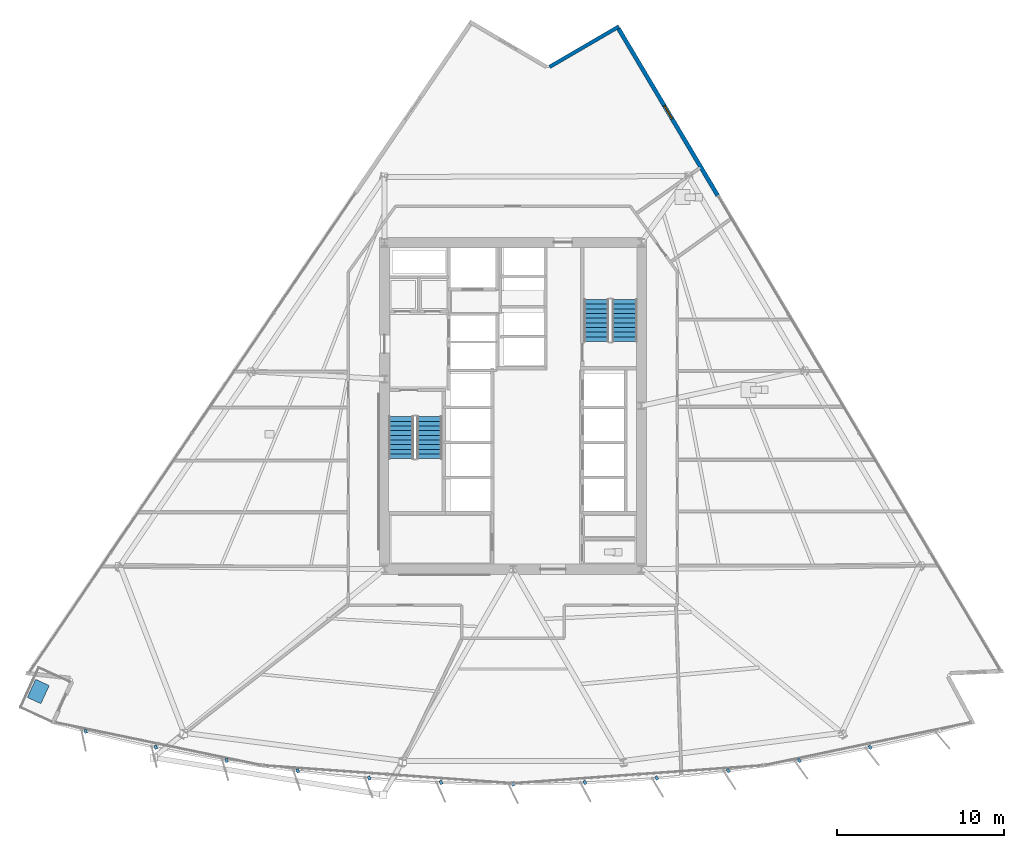
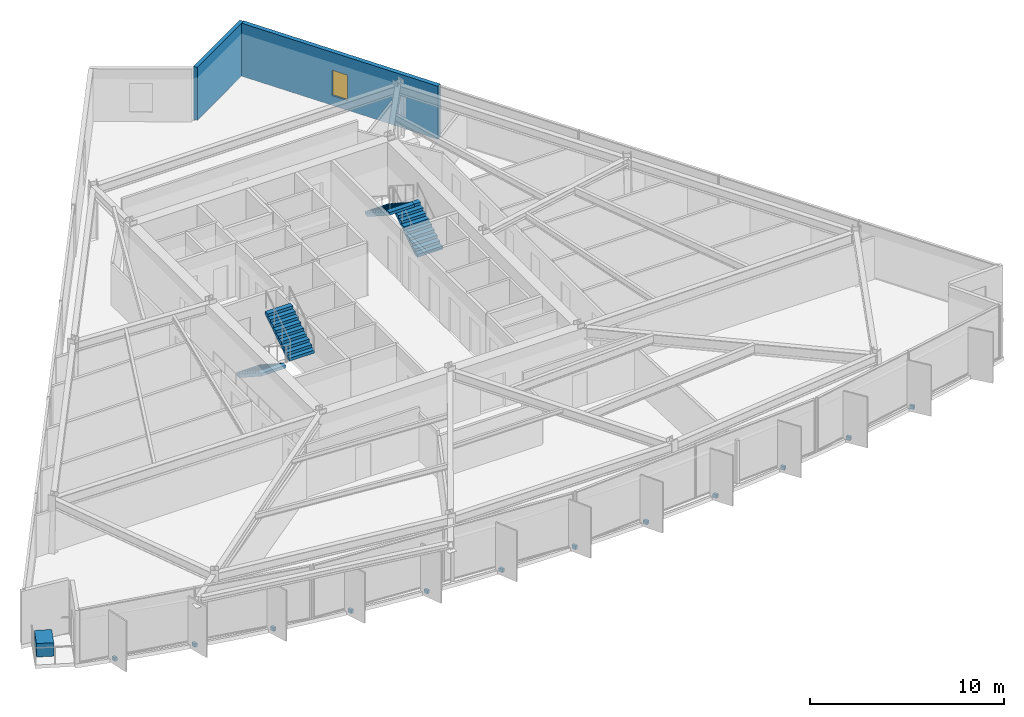
# One storey, part 11 of 17: 13 discrete accessories, 4 stair flights, 2 walls, 1 window, 1 opening, 2 elements without a shape of their own.
"""IFC4 building model written with IfcOpenShell, lengths in metres."""

from ifc_helpers import new_model, si_unit, direction, frame, frame_2d, origin, origin_2d, place, context, subcontext, project, spatial, polyline, rectangle, outline, extrude, material, layer, layer_set, type_object, element, fill, aggregate, save


model = new_model("IFC4")

# Units and contexts
model_context = context("Model", 3, precision=1e-05, world=origin(), true_north=direction((0.0, 1.0)))
body_context = subcontext(model_context, "Body", "Model", "MODEL_VIEW")
ifc_project = project(units=[si_unit("LENGTHUNIT", "METRE"), si_unit("AREAUNIT", "SQUARE_METRE"), si_unit("VOLUMEUNIT", "CUBIC_METRE"), si_unit("PLANEANGLEUNIT", "RADIAN"), si_unit("MASSUNIT", "GRAM", prefix="KILO")], contexts=[model_context])

# Site, building, storey
site_placement = place(None, origin())
site = spatial("IfcSite", under=ifc_project, at=site_placement, CompositionType="ELEMENT")
building_placement = place(site_placement, origin())
building = spatial("IfcBuilding", under=site, at=building_placement, Name="Savorim Split Tower", CompositionType="ELEMENT")
storey_placement = place(building_placement, frame((0.0, 0.0, 55.199951171875)))
storey = spatial("IfcBuildingStorey", under=building, at=storey_placement, Name="L14", CompositionType="ELEMENT", Elevation=55.199951171875)

# Wall
ifc_material_1 = material(Name="Precast concrete C40/50", Category="concrete")
ifc_layer_1 = layer(ifc_material_1, 0.219970703125)
ifc_layer_set_1 = layer_set([ifc_layer_1], Name="WAL-EXT-CRN220")
wall_type_1 = type_object("IfcWallType", Name="WAL-EXT-CRN220", PredefinedType="SOLIDWALL", material=ifc_layer_set_1)
wall_1_placement = place(storey_placement, frame((2.193359375, 20.71337890625, 0.0), z_axis=(0.0, 0.0, 1.0), x_axis=(0.863964978951, 0.503551899159, 0.0)))
element("IfcWall", 1, at=wall_1_placement, inside=storey, type_object=wall_type_1, Name="L14 Notched Corner Facade Wall NE1", PredefinedType="SOLIDWALL", context=body_context, shape_type="SweptSolid", body=[
    extrude(rectangle(XDim=4.8046875, YDim=0.219970703125, at=frame_2d((2.40234375, 0.0))), origin(), (0.0, 0.0, 1.0), 3.35009765625),
])

# Wall, opening, window
ifc_layer_2 = layer(ifc_material_1, 0.25)
ifc_layer_set_2 = layer_set([ifc_layer_2], Name="WAL-EXT-SPN250")
wall_type_2 = type_object("IfcWallType", Name="WAL-EXT-SPN250", PredefinedType="SOLIDWALL", material=ifc_layer_set_2)
wall_2_placement = place(storey_placement, frame((6.327880859375, 23.006103515625, 0.0), z_axis=(0.0, 0.0, 1.0), x_axis=(0.511075811474, -0.859535639125, 0.0)))
wall_2 = element("IfcWall", 2, at=wall_2_placement, inside=storey, type_object=wall_type_2, Name="L14 East Operable Window Pier", PredefinedType="SOLIDWALL", context=body_context, shape_type="SweptSolid", body=[
    extrude(rectangle(XDim=11.645751953125, YDim=0.25, at=frame_2d((5.82275390625, 0.0))), origin(), (0.0, 0.0, 1.0), 3.35009765625),
])
opening_placement = place(wall_2_placement, frame((5.373046875, 0.0, 0.6201171875)))
opening = element("IfcOpeningElement", 3, at=opening_placement, cuts=wall_2, Name="Opening WN-10", PredefinedType="OPENING", context=body_context, shape_type="SweptSolid", body=[
    extrude(rectangle(XDim=0.89990234375, YDim=1.60009765625, at=frame_2d((0.449951171875, 0.800048828125))), frame((0.0, 0.135009765625, 0.0), z_axis=(0.0, -1.0, 0.0), x_axis=(1.0, 0.0, 0.0)), (0.0, 0.0, 1.0), 0.27001953125),
])
ifc_material_2 = material(Name="Low-E Operable Double Glazing", Category="glass")
window_type = type_object("IfcWindowType", Name="WIN-TWR-900x1600", PartitioningType="SINGLE_PANEL", PredefinedType="WINDOW", material=ifc_material_2)
window_placement = place(opening_placement, origin())
window = element("IfcWindow", 4, at=window_placement, inside=storey, type_object=window_type, Name="L14 East Operable Ventilation Window", OverallHeight=1.60009765625, OverallWidth=0.89990234375, PartitioningType="SINGLE_PANEL", PredefinedType="WINDOW", context=body_context, shape_type="SweptSolid", body=[
    extrude(rectangle(XDim=0.89990234375, YDim=1.60009765625, at=frame_2d((0.449951171875, 0.800048828125))), frame((0.0, 0.030029296875, 0.0), z_axis=(0.0, -1.0, 0.0), x_axis=(1.0, 0.0, 0.0)), (0.0, 0.0, 1.0), 0.06005859375),
])
fill(opening, window)

# Stair, stair flights
ifc_material_3 = material(Name="Concrete C50/60", Category="concrete")
stair_type = type_object("IfcStairType", Name="STR-DOG-3600", PredefinedType="HALF_TURN_STAIR", material=ifc_material_3)
stair_1_placement = place(storey_placement, origin())
stair_1 = element("IfcStair", 5, at=stair_1_placement, inside=storey, type_object=stair_type, Name="L14 Core Protected Exit Stair ST-1", PredefinedType="HALF_TURN_STAIR")
stair_flight_type = type_object("IfcStairFlightType", Name="SFL-DOG-3600", PredefinedType="STRAIGHT", material=ifc_material_3)
stair_flight_1_placement = place(storey_placement, frame((-6.699951171875, -0.25, 0.0), z_axis=(0.0, 0.0, 1.0), x_axis=(0.0, -1.0, 0.0)))
stair_flight_1 = element("IfcStairFlight", 6, at=stair_flight_1_placement, type_object=stair_flight_type, Name="ST-1 flight 1", NumberOfRisers=10, NumberOfTreads=9, PredefinedType="STRAIGHT", RiserHeight=0.18, TreadLength=0.28, context=body_context, shape_type="SweptSolid", body=[
    extrude(outline(polyline([(0.0, 0.0), (0.0, 0.179931640625), (0.280029296875, 0.179931640625), (0.280029296875, 0.360107421875), (0.56005859375, 0.360107421875), (0.56005859375, 0.5400390625), (0.840087890625, 0.5400390625), (0.840087890625, 0.719970703125), (1.1201171875, 0.719970703125), (1.1201171875, 0.89990234375), (1.39990234375, 0.89990234375), (1.39990234375, 1.080078125), (1.679931640625, 1.080078125), (1.679931640625, 1.260009765625), (1.9599609375, 1.260009765625), (1.9599609375, 1.43994140625), (2.239990234375, 1.43994140625), (2.239990234375, 1.6201171875), (2.52001953125, 1.6201171875), (2.52001953125, 1.800048828125), (2.52001953125, 1.44189453125), (0.277099609375, 0.0), (0.0, 0.0)])), frame((0.0, 0.75, 0.0), z_axis=(0.0, -1.0, 0.0), x_axis=(1.0, 0.0, 0.0)), (0.0, 0.0, 1.0), 1.5),
])
stair_flight_2_placement = place(storey_placement, frame((-5.0, -2.77001953125, 1.800048828125), z_axis=(0.0, 0.0, 1.0), x_axis=(0.0, 1.0, 0.0)))
stair_flight_2 = element("IfcStairFlight", 7, at=stair_flight_2_placement, type_object=stair_flight_type, Name="ST-1 flight 2", NumberOfRisers=10, NumberOfTreads=9, PredefinedType="STRAIGHT", RiserHeight=0.18, TreadLength=0.28, context=body_context, shape_type="SweptSolid", body=[
    extrude(outline(polyline([(0.0, 0.0), (0.0, 0.179931640625), (0.280029296875, 0.179931640625), (0.280029296875, 0.360107421875), (0.56005859375, 0.360107421875), (0.56005859375, 0.5400390625), (0.840087890625, 0.5400390625), (0.840087890625, 0.719970703125), (1.1201171875, 0.719970703125), (1.1201171875, 0.89990234375), (1.39990234375, 0.89990234375), (1.39990234375, 1.080078125), (1.679931640625, 1.080078125), (1.679931640625, 1.260009765625), (1.9599609375, 1.260009765625), (1.9599609375, 1.43994140625), (2.239990234375, 1.43994140625), (2.239990234375, 1.6201171875), (2.52001953125, 1.6201171875), (2.52001953125, 1.800048828125), (2.52001953125, 1.44189453125), (0.277099609375, 0.0), (0.0, 0.0)])), frame((0.0, 0.75, 0.0), z_axis=(0.0, -1.0, 0.0), x_axis=(1.0, 0.0, 0.0)), (0.0, 0.0, 1.0), 1.5),
])
aggregate(stair_1, [stair_flight_1, stair_flight_2])

stair_2_placement = place(storey_placement, origin())
stair_2 = element("IfcStair", 8, at=stair_2_placement, inside=storey, type_object=stair_type, Name="L14 Core Protected Exit Stair ST-2", PredefinedType="HALF_TURN_STAIR")
stair_flight_3_placement = place(storey_placement, frame((6.699951171875, 4.25, 0.0), z_axis=(0.0, 0.0, 1.0), x_axis=(0.0, 1.0, 0.0)))
stair_flight_3 = element("IfcStairFlight", 9, at=stair_flight_3_placement, type_object=stair_flight_type, Name="ST-2 flight 1", NumberOfRisers=10, NumberOfTreads=9, PredefinedType="STRAIGHT", RiserHeight=0.18, TreadLength=0.28, context=body_context, shape_type="SweptSolid", body=[
    extrude(outline(polyline([(0.0, 0.0), (0.0, 0.179931640625), (0.280029296875, 0.179931640625), (0.280029296875, 0.360107421875), (0.56005859375, 0.360107421875), (0.56005859375, 0.5400390625), (0.840087890625, 0.5400390625), (0.840087890625, 0.719970703125), (1.1201171875, 0.719970703125), (1.1201171875, 0.89990234375), (1.39990234375, 0.89990234375), (1.39990234375, 1.080078125), (1.679931640625, 1.080078125), (1.679931640625, 1.260009765625), (1.9599609375, 1.260009765625), (1.9599609375, 1.43994140625), (2.239990234375, 1.43994140625), (2.239990234375, 1.6201171875), (2.52001953125, 1.6201171875), (2.52001953125, 1.800048828125), (2.52001953125, 1.44189453125), (0.277099609375, 0.0), (0.0, 0.0)])), frame((0.0, 0.75, 0.0), z_axis=(0.0, -1.0, 0.0), x_axis=(1.0, 0.0, 0.0)), (0.0, 0.0, 1.0), 1.5),
])
stair_flight_4_placement = place(storey_placement, frame((5.0, 6.77001953125, 1.800048828125), z_axis=(0.0, 0.0, 1.0), x_axis=(0.0, -1.0, 0.0)))
stair_flight_4 = element("IfcStairFlight", 10, at=stair_flight_4_placement, type_object=stair_flight_type, Name="ST-2 flight 2", NumberOfRisers=10, NumberOfTreads=9, PredefinedType="STRAIGHT", RiserHeight=0.18, TreadLength=0.28, context=body_context, shape_type="SweptSolid", body=[
    extrude(outline(polyline([(0.0, 0.0), (0.0, 0.179931640625), (0.280029296875, 0.179931640625), (0.280029296875, 0.360107421875), (0.56005859375, 0.360107421875), (0.56005859375, 0.5400390625), (0.840087890625, 0.5400390625), (0.840087890625, 0.719970703125), (1.1201171875, 0.719970703125), (1.1201171875, 0.89990234375), (1.39990234375, 0.89990234375), (1.39990234375, 1.080078125), (1.679931640625, 1.080078125), (1.679931640625, 1.260009765625), (1.9599609375, 1.260009765625), (1.9599609375, 1.43994140625), (2.239990234375, 1.43994140625), (2.239990234375, 1.6201171875), (2.52001953125, 1.6201171875), (2.52001953125, 1.800048828125), (2.52001953125, 1.44189453125), (0.277099609375, 0.0), (0.0, 0.0)])), frame((0.0, 0.75, 0.0), z_axis=(0.0, -1.0, 0.0), x_axis=(1.0, 0.0, 0.0)), (0.0, 0.0, 1.0), 1.5),
])
aggregate(stair_2, [stair_flight_3, stair_flight_4])

# Discrete accessories
ifc_material_4 = material(Name="Steel S355", Category="steel")
discrete_accessory_type_1 = type_object("IfcDiscreteAccessoryType", Name="ACC-BRK-FIN", PredefinedType="BRACKET", material=ifc_material_4)
for number, where, z_axis, x_axis, name in (
    (11, (-25.611572265625, -19.10986328125, -0.18994140625), (0.0, 0.0, 1.0), (0.206721626106, -0.978399800337, 0.0), "L14 Fin Slab-Edge Cleat Bracket 01"),
    (12, (-21.408935546875, -20.072265625, -0.18994140625), (0.0, 0.0, 1.0), (0.246581250663, -0.969122121727, 0.0), "L14 Fin Slab-Edge Cleat Bracket 02"),
    (13, (-17.17041015625, -20.86181640625, -0.18994140625), (0.0, 0.0, 1.0), (0.286026212504, -0.958221793616, 0.0), "L14 Fin Slab-Edge Cleat Bracket 03"),
    (14, (-12.903076171875, -21.477294921875, -0.18994140625), (0.0, 0.0, 1.0), (0.324993810493, -0.945716143005, 0.0), "L14 Fin Slab-Edge Cleat Bracket 04"),
    (15, (-8.614013671875, -21.917724609375, -0.18994140625), (0.0, 0.0, 1.0), (0.363415461732, -0.931627179817, 0.0), "L14 Fin Slab-Edge Cleat Bracket 05"),
    (16, (-4.310546875, -22.18212890625, -0.18994140625), (0.0, 0.0, 1.0), (0.401230091723, -0.915977299662, 0.0), "L14 Fin Slab-Edge Cleat Bracket 06"),
    (17, (0.0, -22.2705078125, -0.18994140625), (0.0, 0.0, 1.0), (0.438371146789, -0.898794046299, 0.0), "L14 Fin Slab-Edge Cleat Bracket 07"),
    (18, (4.310546875, -22.18212890625, -0.18994140625), (0.0, 0.0, 1.0), (0.474778051978, -0.880105562623, 0.0), "L14 Fin Slab-Edge Cleat Bracket 08"),
    (19, (8.614013671875, -21.917724609375, -0.18994140625), (0.0, 0.0, 1.0), (0.510391336723, -0.859942255851, 0.0), "L14 Fin Slab-Edge Cleat Bracket 09"),
    (20, (12.903076171875, -21.477294921875, -0.18994140625), (0.0, 0.0, 1.0), (0.545148321708, -0.838339613366, 0.0), "L14 Fin Slab-Edge Cleat Bracket 10"),
    (21, (17.17041015625, -20.86181640625, -0.18994140625), (0.0, 0.0, 1.0), (0.578993757737, -0.815331974414, 0.0), "L14 Fin Slab-Edge Cleat Bracket 11"),
    (22, (21.408935546875, -20.072265625, -0.18994140625), (0.0, 0.0, 1.0), (0.611868076908, -0.790959832394, 0.0), "L14 Fin Slab-Edge Cleat Bracket 12"),
):
    element("IfcDiscreteAccessory", number, at=place(storey_placement, frame(where, z_axis=z_axis, x_axis=x_axis)), inside=storey, type_object=discrete_accessory_type_1, Name=name, PredefinedType="BRACKET", context=body_context, shape_type="SweptSolid", body=[
        extrude(rectangle(XDim=0.239990234375, YDim=0.159912109375, at=origin_2d()), origin(), (0.0, 0.0, 1.0), 0.219970703125),
    ])
ifc_material_5 = material(Name="Architectural Precast Planter Concrete C40/50", Category="concrete")
discrete_accessory_type_2 = type_object("IfcDiscreteAccessoryType", Name="ACC-PLN-TREE", PredefinedType="USERDEFINED", material=ifc_material_5)
discrete_accessory_placement = place(storey_placement, frame((-28.456787109375, -16.727783203125, 0.0), z_axis=(0.0, 0.0, 1.0), x_axis=(-0.417488068088, -0.908682404916, 0.0)))
element("IfcDiscreteAccessory", 23, at=discrete_accessory_placement, inside=storey, type_object=discrete_accessory_type_2, Name="L14 Balcony Precast Tree Planter SW", ObjectType="PLANTER", PredefinedType="USERDEFINED", context=body_context, shape_type="SweptSolid", body=[
    extrude(rectangle(XDim=1.199951171875, YDim=0.89990234375, at=origin_2d()), origin(), (0.0, 0.0, 1.0), 0.85009765625),
])

save(model, "model.ifc")
